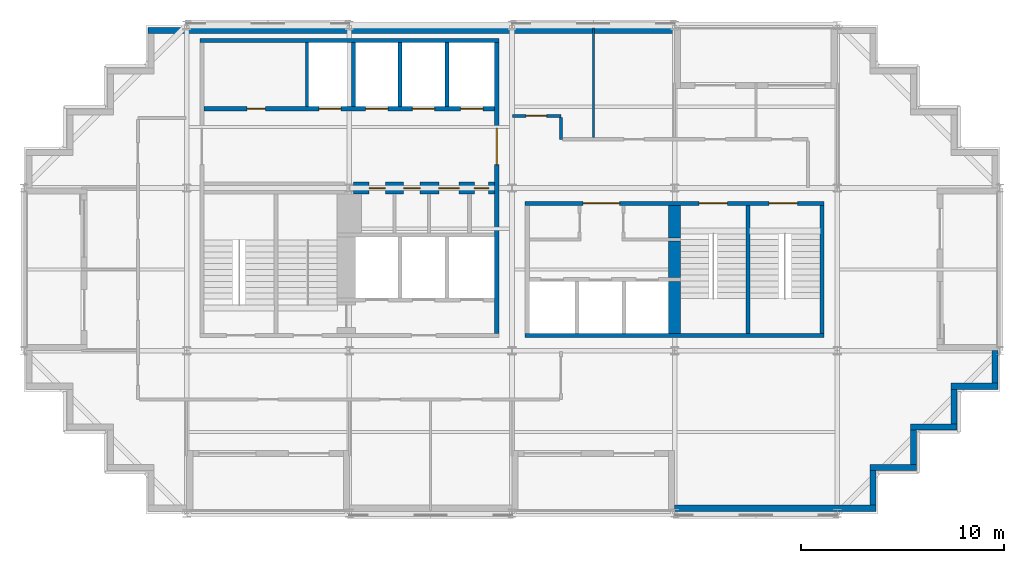
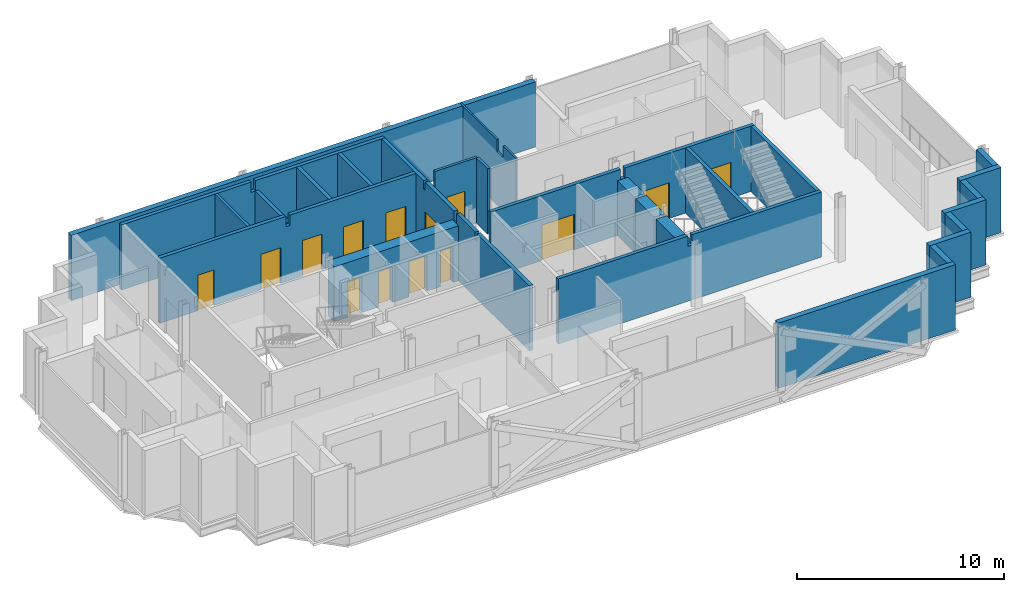
# One storey, part 4 of 7: 27 walls, 14 doors, 14 openings.
"""IFC4 building model written with IfcOpenShell, lengths in metres."""

from ifc_helpers import new_model, si_unit, direction, frame, frame_2d, origin, place, context, subcontext, project, spatial, polyline, rectangle, outline, extrude, material, layer, layer_set, type_object, element, fill, save


model = new_model("IFC4")

# Units and contexts
model_context = context("Model", 3, precision=1e-05, world=origin(), true_north=direction((0.0, 1.0)))
body_context = subcontext(model_context, "Body", "Model", "MODEL_VIEW")
ifc_project = project(units=[si_unit("LENGTHUNIT", "METRE"), si_unit("AREAUNIT", "SQUARE_METRE"), si_unit("VOLUMEUNIT", "CUBIC_METRE"), si_unit("PLANEANGLEUNIT", "RADIAN"), si_unit("MASSUNIT", "GRAM", prefix="KILO")], contexts=[model_context])

# Site, building, storey
site_placement = place(None, origin())
site = spatial("IfcSite", under=ifc_project, at=site_placement, CompositionType="ELEMENT")
building_placement = place(site_placement, origin())
building = spatial("IfcBuilding", under=site, at=building_placement, Name="Immortelle Media Tower", CompositionType="ELEMENT")
storey_placement = place(building_placement, frame((0.0, 0.0, 205.0)))
storey = spatial("IfcBuildingStorey", under=building, at=storey_placement, Name="L43", CompositionType="ELEMENT", Elevation=205.0)

# Wall, openings, doors
ifc_material_1 = material(Name="Fire-rated masonry blockwork", Category="masonry")
ifc_layer_1 = layer(ifc_material_1, 0.60009765625)
ifc_layer_set_1 = layer_set([ifc_layer_1], Name="Fire-rated masonry blockwork")
wall_type_1 = type_object("IfcWallType", Name="Core grid-line wall 600", PredefinedType="PARTITIONING", material=ifc_layer_set_1)
wall_1_placement = place(storey_placement, frame((16.20703125, 16.0, 0.0), z_axis=(0.0, 0.0, 1.0), x_axis=(1.0, 0.0, 0.0)))
wall_1 = element("IfcWall", 1, at=wall_1_placement, inside=storey, type_object=wall_type_1, Name="Core grid-line wall SW", PredefinedType="PARTITIONING", context=body_context, shape_type="SweptSolid", body=[
    extrude(rectangle(XDim=6.94287109375, YDim=0.60009765625, at=frame_2d((3.471435546875, 0.0))), origin(), (0.0, 0.0, 1.0), 3.241943359375),
])
opening_1_placement = place(wall_1_placement, frame((1.568115234375, 0.0, 0.0), z_axis=(0.0, 0.0, 1.0), x_axis=(-1.0, 0.0, 0.0)))
opening_1 = element("IfcOpeningElement", 2, at=opening_1_placement, cuts=wall_1, Name="Opening O2-K009", PredefinedType="OPENING", context=body_context, shape_type="SweptSolid", body=[
    extrude(rectangle(XDim=0.800048828125, YDim=2.10009765625, at=frame_2d((0.39990234375, 1.050048828125))), frame((0.0, 0.31005859375, 0.0), z_axis=(0.0, -1.0, 0.0), x_axis=(1.0, 0.0, 0.0)), (0.0, 0.0, 1.0), 0.6201171875),
])
opening_2_placement = place(wall_1_placement, frame((3.26806640625, 0.0, 0.0), z_axis=(0.0, 0.0, 1.0), x_axis=(-1.0, 0.0, 0.0)))
opening_2 = element("IfcOpeningElement", 3, at=opening_2_placement, cuts=wall_1, Name="Opening O2-K010", PredefinedType="OPENING", context=body_context, shape_type="SweptSolid", body=[
    extrude(rectangle(XDim=0.800048828125, YDim=2.10009765625, at=frame_2d((0.39990234375, 1.050048828125))), frame((0.0, 0.31005859375, 0.0), z_axis=(0.0, -1.0, 0.0), x_axis=(1.0, 0.0, 0.0)), (0.0, 0.0, 1.0), 0.6201171875),
])
opening_3_placement = place(wall_1_placement, frame((5.193115234375, 0.0, 0.0), z_axis=(0.0, 0.0, 1.0), x_axis=(-1.0, 0.0, 0.0)))
opening_3 = element("IfcOpeningElement", 4, at=opening_3_placement, cuts=wall_1, Name="Opening O2-K014", PredefinedType="OPENING", context=body_context, shape_type="SweptSolid", body=[
    extrude(rectangle(XDim=1.0, YDim=2.10009765625, at=frame_2d((0.5, 1.050048828125))), frame((0.0, 0.31005859375, 0.0), z_axis=(0.0, -1.0, 0.0), x_axis=(1.0, 0.0, 0.0)), (0.0, 0.0, 1.0), 0.6201171875),
])
opening_4_placement = place(wall_1_placement, frame((6.64306640625, 0.0, 0.0), z_axis=(0.0, 0.0, 1.0), x_axis=(-1.0, 0.0, 0.0)))
opening_4 = element("IfcOpeningElement", 5, at=opening_4_placement, cuts=wall_1, Name="Opening O2-K017", PredefinedType="OPENING", context=body_context, shape_type="SweptSolid", body=[
    extrude(rectangle(XDim=0.699951171875, YDim=2.10009765625, at=frame_2d((0.35009765625, 1.050048828125))), frame((0.0, 0.31005859375, 0.0), z_axis=(0.0, -1.0, 0.0), x_axis=(1.0, 0.0, 0.0)), (0.0, 0.0, 1.0), 0.6201171875),
])
ifc_material_2 = material(Name="Timber", Category="wood")
door_type_1 = type_object("IfcDoorType", Name="Accessible toilet door 1000 x 2100", OperationType="NOTDEFINED", PredefinedType="NOTDEFINED", material=ifc_material_2)
door_1_placement = place(opening_3_placement, origin())
door_1 = element("IfcDoor", 6, at=door_1_placement, inside=storey, type_object=door_type_1, Name="Accessible toilet O2-K014", OperationType="SINGLE_SWING_RIGHT", OverallHeight=2.10009765625, OverallWidth=1.0, PredefinedType="NOTDEFINED", context=body_context, shape_type="SweptSolid", body=[
    extrude(rectangle(XDim=1.0, YDim=2.10009765625, at=frame_2d((0.5, 1.050048828125))), frame((0.0, 0.02490234375, 0.0), z_axis=(0.0, -1.0, 0.0), x_axis=(1.0, 0.0, 0.0)), (0.0, 0.0, 1.0), 0.050048828125),
])
fill(opening_3, door_1)
ifc_material_3 = material(Name="Galvanised steel door leaf and frame ASTM A653", Category="steel")
door_type_2 = type_object("IfcDoorType", Name="Service door 700 x 2100", OperationType="NOTDEFINED", PredefinedType="NOTDEFINED", material=ifc_material_3)
door_2_placement = place(opening_4_placement, origin())
door_2 = element("IfcDoor", 7, at=door_2_placement, inside=storey, type_object=door_type_2, Name="Service O2-K017", OperationType="SINGLE_SWING_RIGHT", OverallHeight=2.10009765625, OverallWidth=0.699951171875, PredefinedType="NOTDEFINED", context=body_context, shape_type="SweptSolid", body=[
    extrude(rectangle(XDim=0.699951171875, YDim=2.10009765625, at=frame_2d((0.35009765625, 1.050048828125))), frame((0.0, 0.02490234375, 0.0), z_axis=(0.0, -1.0, 0.0), x_axis=(1.0, 0.0, 0.0)), (0.0, 0.0, 1.0), 0.050048828125),
])
fill(opening_4, door_2)
door_type_3 = type_object("IfcDoorType", Name="Toilet door 800 x 2100", OperationType="NOTDEFINED", PredefinedType="NOTDEFINED", material=ifc_material_2)
door_3_placement = place(opening_1_placement, origin())
door_3 = element("IfcDoor", 8, at=door_3_placement, inside=storey, type_object=door_type_3, Name="Toilet O2-K009", OperationType="SINGLE_SWING_RIGHT", OverallHeight=2.10009765625, OverallWidth=0.800048828125, PredefinedType="NOTDEFINED", context=body_context, shape_type="SweptSolid", body=[
    extrude(rectangle(XDim=0.800048828125, YDim=2.10009765625, at=frame_2d((0.39990234375, 1.050048828125))), frame((0.0, 0.02490234375, 0.0), z_axis=(0.0, -1.0, 0.0), x_axis=(1.0, 0.0, 0.0)), (0.0, 0.0, 1.0), 0.050048828125),
])
fill(opening_1, door_3)
door_4_placement = place(opening_2_placement, origin())
door_4 = element("IfcDoor", 9, at=door_4_placement, inside=storey, type_object=door_type_3, Name="Toilet O2-K010", OperationType="SINGLE_SWING_LEFT", OverallHeight=2.10009765625, OverallWidth=0.800048828125, PredefinedType="NOTDEFINED", context=body_context, shape_type="SweptSolid", body=[
    extrude(rectangle(XDim=0.800048828125, YDim=2.10009765625, at=frame_2d((0.39990234375, 1.050048828125))), frame((0.0, 0.02490234375, 0.0), z_axis=(0.0, -1.0, 0.0), x_axis=(1.0, 0.0, 0.0)), (0.0, 0.0, 1.0), 0.050048828125),
])
fill(opening_2, door_4)

# Walls
ifc_material_4 = material(Name="Fire-rated gypsum board", Category="gypsum")
ifc_layer_2 = layer(ifc_material_4, 0.02490234375)
ifc_material_5 = material(Name="Steel ASTM A653 SS Gr 50 stud frame with mineral wool", Category="steel")
ifc_layer_3 = layer(ifc_material_5, 0.10009765625)
ifc_layer_4 = layer(ifc_material_4, 0.02490234375)
ifc_layer_set_2 = layer_set([ifc_layer_2, ifc_layer_3, ifc_layer_4], Name="Steel ASTM A653 SS Gr 50 stud frame with mineral wool")
wall_type_2 = type_object("IfcWallType", Name="Core partition 150", PredefinedType="PARTITIONING", material=ifc_layer_set_2)
wall_2_placement = place(storey_placement, frame((13.925048828125, 20.0, 0.0), z_axis=(0.0, 0.0, 1.0), x_axis=(0.0, 1.0, 0.0)))
element("IfcWall", 10, at=wall_2_placement, inside=storey, type_object=wall_type_2, Name="Core partition SW", PredefinedType="PARTITIONING", context=body_context, shape_type="SweptSolid", body=[
    extrude(rectangle(XDim=3.14990234375, YDim=0.14990234375, at=frame_2d((1.574951171875, 0.0))), origin(), (0.0, 0.0, 1.0), 3.85009765625),
])
ifc_layer_5 = layer(ifc_material_4, 0.03759765625)
ifc_layer_6 = layer(ifc_material_5, 0.125)
ifc_layer_7 = layer(ifc_material_4, 0.03759765625)
ifc_layer_set_3 = layer_set([ifc_layer_5, ifc_layer_6, ifc_layer_7], Name="Steel ASTM A653 SS Gr 50 stud frame with mineral wool")
wall_type_3 = type_object("IfcWallType", Name="Core shaft wall 200", PredefinedType="PARTITIONING", material=ifc_layer_set_3)
wall_3_placement = place(storey_placement, frame((8.64990234375, 23.25, 0.0), z_axis=(0.0, 0.0, 1.0), x_axis=(1.0, 0.0, 0.0)))
element("IfcWall", 11, at=wall_3_placement, inside=storey, type_object=wall_type_3, Name="Core shaft wall SW", PredefinedType="PARTITIONING", context=body_context, shape_type="SweptSolid", body=[
    extrude(outline(polyline([(0.0, 0.0), (14.7001953125, 0.0), (14.699951171875, 3.85009765625), (7.468994140625, 3.85009765625), (7.468017578125, 3.241943359375), (7.23193359375, 3.241943359375), (7.23095703125, 3.85009765625), (0.0, 3.85009765625), (0.0, 0.0)])), frame((0.0, 0.10009765625, 0.0), z_axis=(0.0, -1.0, 0.0), x_axis=(1.0, 0.0, 0.0)), (0.0, 0.0, 1.0), 0.199951171875),
])

# Wall, openings, doors
wall_4_placement = place(storey_placement, frame((8.85009765625, 19.89990234375, 0.0), z_axis=(0.0, 0.0, 1.0), x_axis=(1.0, 0.0, 0.0)))
wall_4 = element("IfcWall", 12, at=wall_4_placement, inside=storey, type_object=wall_type_3, Name="Core shaft wall SW", PredefinedType="PARTITIONING", context=body_context, shape_type="SweptSolid", body=[
    extrude(outline(polyline([(0.0, 0.0), (14.2998046875, 0.0), (14.300048828125, 3.85009765625), (7.26904296875, 3.85009765625), (7.26806640625, 3.241943359375), (7.031982421875, 3.241943359375), (7.031005859375, 3.85009765625), (0.0, 3.85009765625), (0.0, 0.0)])), frame((0.0, 0.10009765625, 0.0), z_axis=(0.0, -1.0, 0.0), x_axis=(1.0, 0.0, 0.0)), (0.0, 0.0, 1.0), 0.199951171875),
])
opening_5_placement = place(wall_4_placement, frame((2.125, 0.0, 0.0)))
opening_5 = element("IfcOpeningElement", 13, at=opening_5_placement, cuts=wall_4, Name="Opening O2-K003", PredefinedType="OPENING", context=body_context, shape_type="SweptSolid", body=[
    extrude(rectangle(XDim=0.89990234375, YDim=2.10009765625, at=frame_2d((0.449951171875, 1.050048828125))), frame((0.0, 0.10986328125, 0.0), z_axis=(0.0, -1.0, 0.0), x_axis=(1.0, 0.0, 0.0)), (0.0, 0.0, 1.0), 0.219970703125),
])
opening_6_placement = place(wall_4_placement, frame((5.64990234375, 0.0, 0.0)))
opening_6 = element("IfcOpeningElement", 14, at=opening_6_placement, cuts=wall_4, Name="Opening LD", PredefinedType="OPENING", context=body_context, shape_type="SweptSolid", body=[
    extrude(rectangle(XDim=1.10009765625, YDim=2.10009765625, at=frame_2d((0.550048828125, 1.050048828125))), frame((0.0, 0.10986328125, 0.0), z_axis=(0.0, -1.0, 0.0), x_axis=(1.0, 0.0, 0.0)), (0.0, 0.0, 1.0), 0.219970703125),
])
opening_7_placement = place(wall_4_placement, frame((7.949951171875, 0.0, 0.0)))
opening_7 = element("IfcOpeningElement", 15, at=opening_7_placement, cuts=wall_4, Name="Opening LD", PredefinedType="OPENING", context=body_context, shape_type="SweptSolid", body=[
    extrude(rectangle(XDim=1.10009765625, YDim=2.10009765625, at=frame_2d((0.550048828125, 1.050048828125))), frame((0.0, 0.10986328125, 0.0), z_axis=(0.0, -1.0, 0.0), x_axis=(1.0, 0.0, 0.0)), (0.0, 0.0, 1.0), 0.219970703125),
])
opening_8_placement = place(wall_4_placement, frame((10.25, 0.0, 0.0)))
opening_8 = element("IfcOpeningElement", 16, at=opening_8_placement, cuts=wall_4, Name="Opening LD", PredefinedType="OPENING", context=body_context, shape_type="SweptSolid", body=[
    extrude(rectangle(XDim=1.10009765625, YDim=2.10009765625, at=frame_2d((0.550048828125, 1.050048828125))), frame((0.0, 0.10986328125, 0.0), z_axis=(0.0, -1.0, 0.0), x_axis=(1.0, 0.0, 0.0)), (0.0, 0.0, 1.0), 0.219970703125),
])
opening_9_placement = place(wall_4_placement, frame((12.625, 0.0, 0.0)))
opening_9 = element("IfcOpeningElement", 17, at=opening_9_placement, cuts=wall_4, Name="Opening LD", PredefinedType="OPENING", context=body_context, shape_type="SweptSolid", body=[
    extrude(rectangle(XDim=1.10009765625, YDim=2.10009765625, at=frame_2d((0.550048828125, 1.050048828125))), frame((0.0, 0.10986328125, 0.0), z_axis=(0.0, -1.0, 0.0), x_axis=(1.0, 0.0, 0.0)), (0.0, 0.0, 1.0), 0.219970703125),
])
ifc_material_6 = material(Name="Stainless steel AISI 304", Category="steel")
door_type_4 = type_object("IfcDoorType", Name="Landing door 1100 x 2100", OperationType="SLIDING_TO_LEFT", PredefinedType="NOTDEFINED", material=ifc_material_6)
door_5_placement = place(opening_6_placement, origin())
door_5 = element("IfcDoor", 18, at=door_5_placement, inside=storey, type_object=door_type_4, Name="Landing door HR1 L43", OperationType="SLIDING_TO_LEFT", OverallHeight=2.10009765625, OverallWidth=1.10009765625, PredefinedType="NOTDEFINED", context=body_context, shape_type="SweptSolid", body=[
    extrude(rectangle(XDim=1.10009765625, YDim=2.10009765625, at=frame_2d((0.550048828125, 1.050048828125))), frame((0.0, 0.02490234375, 0.0), z_axis=(0.0, -1.0, 0.0), x_axis=(1.0, 0.0, 0.0)), (0.0, 0.0, 1.0), 0.050048828125),
])
fill(opening_6, door_5)
door_6_placement = place(opening_7_placement, origin())
door_6 = element("IfcDoor", 19, at=door_6_placement, inside=storey, type_object=door_type_4, Name="Landing door HR2 L43", OperationType="SLIDING_TO_LEFT", OverallHeight=2.10009765625, OverallWidth=1.10009765625, PredefinedType="NOTDEFINED", context=body_context, shape_type="SweptSolid", body=[
    extrude(rectangle(XDim=1.10009765625, YDim=2.10009765625, at=frame_2d((0.550048828125, 1.050048828125))), frame((0.0, 0.02490234375, 0.0), z_axis=(0.0, -1.0, 0.0), x_axis=(1.0, 0.0, 0.0)), (0.0, 0.0, 1.0), 0.050048828125),
])
fill(opening_7, door_6)
door_7_placement = place(opening_8_placement, origin())
door_7 = element("IfcDoor", 20, at=door_7_placement, inside=storey, type_object=door_type_4, Name="Landing door HR3 L43", OperationType="SLIDING_TO_LEFT", OverallHeight=2.10009765625, OverallWidth=1.10009765625, PredefinedType="NOTDEFINED", context=body_context, shape_type="SweptSolid", body=[
    extrude(rectangle(XDim=1.10009765625, YDim=2.10009765625, at=frame_2d((0.550048828125, 1.050048828125))), frame((0.0, 0.02490234375, 0.0), z_axis=(0.0, -1.0, 0.0), x_axis=(1.0, 0.0, 0.0)), (0.0, 0.0, 1.0), 0.050048828125),
])
fill(opening_8, door_7)
door_8_placement = place(opening_9_placement, origin())
door_8 = element("IfcDoor", 21, at=door_8_placement, inside=storey, type_object=door_type_4, Name="Landing door HR4 L43", OperationType="SLIDING_TO_LEFT", OverallHeight=2.10009765625, OverallWidth=1.10009765625, PredefinedType="NOTDEFINED", context=body_context, shape_type="SweptSolid", body=[
    extrude(rectangle(XDim=1.10009765625, YDim=2.10009765625, at=frame_2d((0.550048828125, 1.050048828125))), frame((0.0, 0.02490234375, 0.0), z_axis=(0.0, -1.0, 0.0), x_axis=(1.0, 0.0, 0.0)), (0.0, 0.0, 1.0), 0.050048828125),
])
fill(opening_9, door_8)
door_type_5 = type_object("IfcDoorType", Name="Room door 900 x 2100", OperationType="NOTDEFINED", PredefinedType="NOTDEFINED", material=ifc_material_2)
door_9_placement = place(opening_5_placement, origin())
door_9 = element("IfcDoor", 22, at=door_9_placement, inside=storey, type_object=door_type_5, Name="Room O2-K003", OperationType="SINGLE_SWING_LEFT", OverallHeight=2.10009765625, OverallWidth=0.89990234375, PredefinedType="NOTDEFINED", context=body_context, shape_type="SweptSolid", body=[
    extrude(rectangle(XDim=0.89990234375, YDim=2.10009765625, at=frame_2d((0.449951171875, 1.050048828125))), frame((0.0, 0.02490234375, 0.0), z_axis=(0.0, -1.0, 0.0), x_axis=(1.0, 0.0, 0.0)), (0.0, 0.0, 1.0), 0.050048828125),
])
fill(opening_5, door_9)

# Walls
wall_5_placement = place(storey_placement, frame((16.199951171875, 20.0, 0.0), z_axis=(0.0, 0.0, 1.0), x_axis=(0.0, 1.0, 0.0)))
element("IfcWall", 23, at=wall_5_placement, inside=storey, type_object=wall_type_3, Name="Core shaft wall SW", PredefinedType="PARTITIONING", context=body_context, shape_type="SweptSolid", body=[
    extrude(rectangle(XDim=3.14990234375, YDim=0.199951171875, at=frame_2d((1.574951171875, 0.0))), origin(), (0.0, 0.0, 1.0), 3.241943359375),
])
for number, where, z_axis, x_axis, name in (
    (24, (18.5, 20.0, 0.0), (0.0, 0.0, 1.0), (0.0, 1.0, 0.0), "Core shaft wall SW"),
    (25, (20.800048828125, 20.0, 0.0), (0.0, 0.0, 1.0), (0.0, 1.0, 0.0), "Core shaft wall SW"),
):
    element("IfcWall", number, at=place(storey_placement, frame(where, z_axis=z_axis, x_axis=x_axis)), inside=storey, type_object=wall_type_3, Name=name, PredefinedType="PARTITIONING", context=body_context, shape_type="SweptSolid", body=[
        extrude(rectangle(XDim=3.14990234375, YDim=0.199951171875, at=frame_2d((1.574951171875, 0.0))), origin(), (0.0, 0.0, 1.0), 3.85009765625),
    ])

# Wall, opening, door
wall_6_placement = place(storey_placement, frame((23.25, 8.85009765625, 0.0), z_axis=(0.0, 0.0, 1.0), x_axis=(0.0, 1.0, 0.0)))
wall_6 = element("IfcWall", 26, at=wall_6_placement, inside=storey, type_object=wall_type_3, Name="Core shaft wall SW", PredefinedType="PARTITIONING", context=body_context, shape_type="SweptSolid", body=[
    extrude(outline(polyline([(0.0, 0.0), (14.2998046875, 0.0), (14.300048828125, 3.85009765625), (10.2314453125, 3.85009765625), (10.23046875, 3.388916015625), (10.069580078125, 3.388916015625), (10.068603515625, 3.85009765625), (7.26904296875, 3.85009765625), (7.26806640625, 3.241943359375), (7.031982421875, 3.241943359375), (7.031005859375, 3.85009765625), (5.2314453125, 3.85009765625), (5.23046875, 3.388916015625), (5.069580078125, 3.388916015625), (5.068603515625, 3.85009765625), (0.0, 3.85009765625), (0.0, 0.0)])), frame((0.0, 0.10009765625, 0.0), z_axis=(0.0, -1.0, 0.0), x_axis=(1.0, 0.0, 0.0)), (0.0, 0.0, 1.0), 0.199951171875),
])
opening_10_placement = place(wall_6_placement, frame((8.300048828125, 0.0, 0.0)))
opening_10 = element("IfcOpeningElement", 27, at=opening_10_placement, cuts=wall_6, Name="Opening O2-K018", PredefinedType="OPENING", context=body_context, shape_type="SweptSolid", body=[
    extrude(rectangle(XDim=1.800048828125, YDim=2.10009765625, at=frame_2d((0.89990234375, 1.050048828125))), frame((0.0, 0.10986328125, 0.0), z_axis=(0.0, -1.0, 0.0), x_axis=(1.0, 0.0, 0.0)), (0.0, 0.0, 1.0), 0.219970703125),
])
door_type_6 = type_object("IfcDoorType", Name="Lift lobby door 1800 x 2100", OperationType="DOUBLE_DOOR_SINGLE_SWING", PredefinedType="NOTDEFINED", material=ifc_material_3)
door_10_placement = place(opening_10_placement, origin())
door_10 = element("IfcDoor", 28, at=door_10_placement, inside=storey, type_object=door_type_6, Name="Lift lobby O2-K018", OperationType="DOUBLE_DOOR_SINGLE_SWING", OverallHeight=2.10009765625, OverallWidth=1.800048828125, PredefinedType="NOTDEFINED", context=body_context, shape_type="SweptSolid", body=[
    extrude(rectangle(XDim=1.800048828125, YDim=2.10009765625, at=frame_2d((0.89990234375, 1.050048828125))), frame((0.0, 0.02490234375, 0.0), z_axis=(0.0, -1.0, 0.0), x_axis=(1.0, 0.0, 0.0)), (0.0, 0.0, 1.0), 0.050048828125),
])
fill(opening_10, door_10)

# Wall
ifc_layer_8 = layer(ifc_material_4, 0.012451171875)
ifc_layer_9 = layer(ifc_material_5, 0.125)
ifc_layer_10 = layer(ifc_material_4, 0.012451171875)
ifc_layer_set_4 = layer_set([ifc_layer_8, ifc_layer_9, ifc_layer_10], Name="Steel ASTM A653 SS Gr 50 stud frame with mineral wool")
wall_type_4 = type_object("IfcWallType", Name="Corridor wall 150", PredefinedType="PARTITIONING", material=ifc_layer_set_4)
wall_7_placement = place(storey_placement, frame((26.39990234375, 18.39990234375, 0.0), z_axis=(0.0, 0.0, 1.0), x_axis=(0.0, 1.0, 0.0)))
element("IfcWall", 29, at=wall_7_placement, inside=storey, type_object=wall_type_4, Name="Partition L43-014", PredefinedType="PARTITIONING", context=body_context, shape_type="SweptSolid", body=[
    extrude(rectangle(XDim=1.0751953125, YDim=0.14990234375, at=frame_2d((0.53759765625, 0.0))), origin(), (0.0, 0.0, 1.0), 3.85009765625),
])

# Wall, opening, door
wall_8_placement = place(storey_placement, frame((24.030029296875, 19.550048828125, 0.0), z_axis=(0.0, 0.0, 1.0), x_axis=(1.0, 0.0, 0.0)))
wall_8 = element("IfcWall", 30, at=wall_8_placement, inside=storey, type_object=wall_type_4, Name="Partition L43-019", PredefinedType="PARTITIONING", context=body_context, shape_type="SweptSolid", body=[
    extrude(rectangle(XDim=2.369873046875, YDim=0.14990234375, at=frame_2d((1.18505859375, 0.0))), origin(), (0.0, 0.0, 1.0), 3.85009765625),
])
opening_11_placement = place(wall_8_placement, frame((0.669921875, 0.0, 0.0)))
opening_11 = element("IfcOpeningElement", 31, at=opening_11_placement, cuts=wall_8, Name="Opening O2-F011", PredefinedType="OPENING", context=body_context, shape_type="SweptSolid", body=[
    extrude(rectangle(XDim=1.0, YDim=2.10009765625, at=frame_2d((0.5, 1.050048828125))), frame((0.0, 0.0849609375, 0.0), z_axis=(0.0, -1.0, 0.0), x_axis=(1.0, 0.0, 0.0)), (0.0, 0.0, 1.0), 0.169921875),
])
ifc_material_7 = material(Name="Timber veneered door leaf, galvanised steel frame ASTM A653", Category="steel")
door_type_7 = type_object("IfcDoorType", Name="Room door 1000 x 2100", OperationType="NOTDEFINED", PredefinedType="DOOR", material=ifc_material_7)
door_11_placement = place(opening_11_placement, origin())
door_11 = element("IfcDoor", 32, at=door_11_placement, inside=storey, type_object=door_type_7, Name="Door O2-F011", OperationType="SINGLE_SWING_LEFT", OverallHeight=2.10009765625, OverallWidth=1.0, PredefinedType="DOOR", context=body_context, shape_type="SweptSolid", body=[
    extrude(rectangle(XDim=1.0, YDim=2.10009765625, at=frame_2d((0.5, 1.050048828125))), frame((0.0, 0.02490234375, 0.0), z_axis=(0.0, -1.0, 0.0), x_axis=(1.0, 0.0, 0.0)), (0.0, 0.0, 1.0), 0.050048828125),
])
fill(opening_11, door_11)

# Walls
ifc_material_8 = material(Name="Pale aluminium cladding panel", Category="aluminium")
ifc_layer_11 = layer(ifc_material_8, 0.030029296875)
ifc_layer_12 = layer(ifc_material_5, 0.257568359375)
ifc_material_9 = material(Name="Moisture-resistant gypsum board", Category="gypsum")
ifc_layer_13 = layer(ifc_material_9, 0.012451171875)
ifc_layer_set_5 = layer_set([ifc_layer_11, ifc_layer_12, ifc_layer_13], Name="Steel ASTM A653 SS Gr 50 stud frame with mineral wool")
wall_type_5 = type_object("IfcWallType", Name="Facade wall 300", PredefinedType="SOLIDWALL", material=ifc_layer_set_5)
wall_9_placement = place(storey_placement, frame((32.0, 0.25, 0.0), z_axis=(0.0, 0.0, 1.0), x_axis=(1.0, 0.0, 0.0)))
element("IfcWall", 33, at=wall_9_placement, inside=storey, type_object=wall_type_5, Name="Facade wall L43 S6", PredefinedType="SOLIDWALL", context=body_context, shape_type="SweptSolid", body=[
    extrude(rectangle(XDim=9.89990234375, YDim=0.300048828125, at=frame_2d((4.949951171875, 0.0))), origin(), (0.0, 0.0, 1.0), 3.85009765625),
])
wall_10_placement = place(storey_placement, frame((41.75, 0.39990234375, 0.0), z_axis=(0.0, 0.0, 1.0), x_axis=(0.0, 1.0, 0.0)))
element("IfcWall", 34, at=wall_10_placement, inside=storey, type_object=wall_type_5, Name="Facade wall L43 E7", PredefinedType="SOLIDWALL", context=body_context, shape_type="SweptSolid", body=[
    extrude(rectangle(XDim=1.7001953125, YDim=0.300048828125, at=frame_2d((0.85009765625, 0.0))), origin(), (0.0, 0.0, 1.0), 3.85009765625),
])
wall_11_placement = place(storey_placement, frame((41.60009765625, 2.25, 0.0), z_axis=(0.0, 0.0, 1.0), x_axis=(1.0, 0.0, 0.0)))
element("IfcWall", 35, at=wall_11_placement, inside=storey, type_object=wall_type_5, Name="Facade wall L43 S8", PredefinedType="SOLIDWALL", context=body_context, shape_type="SweptSolid", body=[
    extrude(rectangle(XDim=2.2998046875, YDim=0.300048828125, at=frame_2d((1.14990234375, 0.0))), origin(), (0.0, 0.0, 1.0), 3.85009765625),
])
wall_12_placement = place(storey_placement, frame((43.75, 2.39990234375, 0.0), z_axis=(0.0, 0.0, 1.0), x_axis=(0.0, 1.0, 0.0)))
element("IfcWall", 36, at=wall_12_placement, inside=storey, type_object=wall_type_5, Name="Facade wall L43 E9", PredefinedType="SOLIDWALL", context=body_context, shape_type="SweptSolid", body=[
    extrude(rectangle(XDim=1.7001953125, YDim=0.300048828125, at=frame_2d((0.85009765625, 0.0))), origin(), (0.0, 0.0, 1.0), 3.85009765625),
])
wall_13_placement = place(storey_placement, frame((43.60009765625, 4.25, 0.0), z_axis=(0.0, 0.0, 1.0), x_axis=(1.0, 0.0, 0.0)))
element("IfcWall", 37, at=wall_13_placement, inside=storey, type_object=wall_type_5, Name="Facade wall L43 S10", PredefinedType="SOLIDWALL", context=body_context, shape_type="SweptSolid", body=[
    extrude(rectangle(XDim=2.2998046875, YDim=0.300048828125, at=frame_2d((1.14990234375, 0.0))), origin(), (0.0, 0.0, 1.0), 3.85009765625),
])
wall_14_placement = place(storey_placement, frame((45.75, 4.39990234375, 0.0), z_axis=(0.0, 0.0, 1.0), x_axis=(0.0, 1.0, 0.0)))
element("IfcWall", 38, at=wall_14_placement, inside=storey, type_object=wall_type_5, Name="Facade wall L43 E11", PredefinedType="SOLIDWALL", context=body_context, shape_type="SweptSolid", body=[
    extrude(rectangle(XDim=1.7001953125, YDim=0.300048828125, at=frame_2d((0.85009765625, 0.0))), origin(), (0.0, 0.0, 1.0), 3.85009765625),
])
wall_15_placement = place(storey_placement, frame((45.60009765625, 6.25, 0.0), z_axis=(0.0, 0.0, 1.0), x_axis=(1.0, 0.0, 0.0)))
element("IfcWall", 39, at=wall_15_placement, inside=storey, type_object=wall_type_5, Name="Facade wall L43 S12", PredefinedType="SOLIDWALL", context=body_context, shape_type="SweptSolid", body=[
    extrude(rectangle(XDim=2.2998046875, YDim=0.300048828125, at=frame_2d((1.14990234375, 0.0))), origin(), (0.0, 0.0, 1.0), 3.85009765625),
])
wall_16_placement = place(storey_placement, frame((47.75, 6.39990234375, 0.0), z_axis=(0.0, 0.0, 1.0), x_axis=(0.0, 1.0, 0.0)))
element("IfcWall", 40, at=wall_16_placement, inside=storey, type_object=wall_type_5, Name="Facade wall L43 E13", PredefinedType="SOLIDWALL", context=body_context, shape_type="SweptSolid", body=[
    extrude(rectangle(XDim=1.60009765625, YDim=0.300048828125, at=frame_2d((0.800048828125, 0.0))), origin(), (0.0, 0.0, 1.0), 3.85009765625),
])
wall_17_placement = place(storey_placement, frame((32.0, 23.75, 0.0), z_axis=(0.0, 0.0, 1.0), x_axis=(-1.0, 0.0, 0.0)))
element("IfcWall", 41, at=wall_17_placement, inside=storey, type_object=wall_type_5, Name="Facade wall L43 N20", PredefinedType="SOLIDWALL", context=body_context, shape_type="SweptSolid", body=[
    extrude(rectangle(XDim=25.89990234375, YDim=0.300048828125, at=frame_2d((12.949951171875, 0.0))), origin(), (0.0, 0.0, 1.0), 3.85009765625),
])
ifc_material_10 = material(Name="Gypsum board", Category="gypsum")
ifc_layer_14 = layer(ifc_material_10, 0.012451171875)
ifc_layer_15 = layer(ifc_material_5, 0.074951171875)
ifc_layer_16 = layer(ifc_material_10, 0.012451171875)
ifc_layer_set_6 = layer_set([ifc_layer_14, ifc_layer_15, ifc_layer_16], Name="Steel ASTM A653 SS Gr 50 stud frame with mineral wool")
wall_type_6 = type_object("IfcWallType", Name="Partition 100", PredefinedType="PARTITIONING", material=ifc_layer_set_6)
wall_18_placement = place(storey_placement, frame((28.0, 18.47509765625, 0.0), z_axis=(0.0, 0.0, 1.0), x_axis=(0.0, 1.0, 0.0)))
element("IfcWall", 42, at=wall_18_placement, inside=storey, type_object=wall_type_6, Name="Partition L43-015", PredefinedType="PARTITIONING", context=body_context, shape_type="SweptSolid", body=[
    extrude(outline(polyline([(0.0, 0.0), (5.39501953125, 0.0), (5.39501953125, 3.85009765625), (1.824951171875, 3.85009765625), (1.822998046875, 3.156982421875), (1.22705078125, 3.156982421875), (1.22509765625, 3.85009765625), (0.0, 3.85009765625), (0.0, 0.0)])), frame((0.0, 0.050048828125, 0.0), z_axis=(0.0, -1.0, 0.0), x_axis=(1.0, 0.0, 0.0)), (0.0, 0.0, 1.0), 0.10009765625),
])
ifc_material_11 = material(Name="Concrete C60", Category="concrete")
ifc_layer_17 = layer(ifc_material_11, 0.199951171875)
ifc_layer_set_7 = layer_set([ifc_layer_17], Name="Concrete C60")
wall_type_7 = type_object("IfcWallType", Name="Stair shaft wall 200", PredefinedType="PARTITIONING", material=ifc_layer_set_7)
wall_19_placement = place(storey_placement, frame((24.64990234375, 8.75, 0.0), z_axis=(0.0, 0.0, 1.0), x_axis=(1.0, 0.0, 0.0)))
element("IfcWall", 43, at=wall_19_placement, inside=storey, type_object=wall_type_7, Name="Stair shaft wall SE", PredefinedType="PARTITIONING", context=body_context, shape_type="SweptSolid", body=[
    extrude(outline(polyline([(0.0, 0.0), (14.7001953125, 0.0), (14.699951171875, 3.85009765625), (7.468994140625, 3.85009765625), (7.468017578125, 3.241943359375), (7.23193359375, 3.241943359375), (7.23095703125, 3.85009765625), (0.0, 3.85009765625), (0.0, 0.0)])), frame((0.0, 0.10009765625, 0.0), z_axis=(0.0, -1.0, 0.0), x_axis=(1.0, 0.0, 0.0)), (0.0, 0.0, 1.0), 0.199951171875),
])

# Wall, openings, doors
wall_20_placement = place(storey_placement, frame((24.64990234375, 15.25, 0.0), z_axis=(0.0, 0.0, 1.0), x_axis=(1.0, 0.0, 0.0)))
wall_20 = element("IfcWall", 44, at=wall_20_placement, inside=storey, type_object=wall_type_7, Name="Stair shaft wall SE", PredefinedType="PARTITIONING", context=body_context, shape_type="SweptSolid", body=[
    extrude(outline(polyline([(0.0, 0.0), (14.7001953125, 0.0), (14.699951171875, 3.85009765625), (7.468994140625, 3.85009765625), (7.468017578125, 3.241943359375), (7.23193359375, 3.241943359375), (7.23095703125, 3.85009765625), (0.0, 3.85009765625), (0.0, 0.0)])), frame((0.0, 0.10009765625, 0.0), z_axis=(0.0, -1.0, 0.0), x_axis=(1.0, 0.0, 0.0)), (0.0, 0.0, 1.0), 0.199951171875),
])
opening_12_placement = place(wall_20_placement, frame((2.85009765625, 0.0, 0.0)))
opening_12 = element("IfcOpeningElement", 45, at=opening_12_placement, cuts=wall_20, Name="Opening O2-K022", PredefinedType="OPENING", context=body_context, shape_type="SweptSolid", body=[
    extrude(rectangle(XDim=1.800048828125, YDim=2.10009765625, at=frame_2d((0.89990234375, 1.050048828125))), frame((0.0, 0.10986328125, 0.0), z_axis=(0.0, -1.0, 0.0), x_axis=(1.0, 0.0, 0.0)), (0.0, 0.0, 1.0), 0.219970703125),
])
opening_13_placement = place(wall_20_placement, frame((9.949951171875, 0.0, 0.0), z_axis=(0.0, 0.0, 1.0), x_axis=(-1.0, 0.0, 0.0)))
opening_13 = element("IfcOpeningElement", 46, at=opening_13_placement, cuts=wall_20, Name="Opening O2-K025", PredefinedType="OPENING", context=body_context, shape_type="SweptSolid", body=[
    extrude(rectangle(XDim=1.39990234375, YDim=2.10009765625, at=frame_2d((0.699951171875, 1.050048828125))), frame((0.0, 0.10986328125, 0.0), z_axis=(0.0, -1.0, 0.0), x_axis=(1.0, 0.0, 0.0)), (0.0, 0.0, 1.0), 0.219970703125),
])
opening_14_placement = place(wall_20_placement, frame((13.39990234375, 0.0, 0.0), z_axis=(0.0, 0.0, 1.0), x_axis=(-1.0, 0.0, 0.0)))
opening_14 = element("IfcOpeningElement", 47, at=opening_14_placement, cuts=wall_20, Name="Opening O2-K026", PredefinedType="OPENING", context=body_context, shape_type="SweptSolid", body=[
    extrude(rectangle(XDim=1.39990234375, YDim=2.10009765625, at=frame_2d((0.699951171875, 1.050048828125))), frame((0.0, 0.10986328125, 0.0), z_axis=(0.0, -1.0, 0.0), x_axis=(1.0, 0.0, 0.0)), (0.0, 0.0, 1.0), 0.219970703125),
])
door_12_placement = place(opening_12_placement, origin())
door_12 = element("IfcDoor", 48, at=door_12_placement, inside=storey, type_object=door_type_6, Name="Lift lobby O2-K022", OperationType="DOUBLE_DOOR_SINGLE_SWING", OverallHeight=2.10009765625, OverallWidth=1.800048828125, PredefinedType="NOTDEFINED", context=body_context, shape_type="SweptSolid", body=[
    extrude(rectangle(XDim=1.800048828125, YDim=2.10009765625, at=frame_2d((0.89990234375, 1.050048828125))), frame((0.0, 0.02490234375, 0.0), z_axis=(0.0, -1.0, 0.0), x_axis=(1.0, 0.0, 0.0)), (0.0, 0.0, 1.0), 0.050048828125),
])
fill(opening_12, door_12)
door_type_8 = type_object("IfcDoorType", Name="Stair door 1400 x 2100", OperationType="DOUBLE_DOOR_SINGLE_SWING", PredefinedType="NOTDEFINED", material=ifc_material_3)
door_13_placement = place(opening_13_placement, origin())
door_13 = element("IfcDoor", 49, at=door_13_placement, inside=storey, type_object=door_type_8, Name="Stair O2-K025", OperationType="DOUBLE_DOOR_SINGLE_SWING", OverallHeight=2.10009765625, OverallWidth=1.39990234375, PredefinedType="NOTDEFINED", context=body_context, shape_type="SweptSolid", body=[
    extrude(rectangle(XDim=1.39990234375, YDim=2.10009765625, at=frame_2d((0.699951171875, 1.050048828125))), frame((0.0, 0.02490234375, 0.0), z_axis=(0.0, -1.0, 0.0), x_axis=(1.0, 0.0, 0.0)), (0.0, 0.0, 1.0), 0.050048828125),
])
fill(opening_13, door_13)
door_14_placement = place(opening_14_placement, origin())
door_14 = element("IfcDoor", 50, at=door_14_placement, inside=storey, type_object=door_type_8, Name="Stair O2-K026", OperationType="DOUBLE_DOOR_SINGLE_SWING", OverallHeight=2.10009765625, OverallWidth=1.39990234375, PredefinedType="NOTDEFINED", context=body_context, shape_type="SweptSolid", body=[
    extrude(rectangle(XDim=1.39990234375, YDim=2.10009765625, at=frame_2d((0.699951171875, 1.050048828125))), frame((0.0, 0.02490234375, 0.0), z_axis=(0.0, -1.0, 0.0), x_axis=(1.0, 0.0, 0.0)), (0.0, 0.0, 1.0), 0.050048828125),
])
fill(opening_14, door_14)

# Walls
for number, where, z_axis, x_axis, name in (
    (51, (35.60009765625, 8.85009765625, 0.0), (0.0, 0.0, 1.0), (0.0, 1.0, 0.0), "Stair shaft wall SE"),
    (52, (39.25, 8.85009765625, 0.0), (0.0, 0.0, 1.0), (0.0, 1.0, 0.0), "Stair shaft wall SE"),
):
    element("IfcWall", number, at=place(storey_placement, frame(where, z_axis=z_axis, x_axis=x_axis)), inside=storey, type_object=wall_type_7, Name=name, PredefinedType="PARTITIONING", context=body_context, shape_type="SweptSolid", body=[
        extrude(rectangle(XDim=6.2998046875, YDim=0.199951171875, at=frame_2d((3.14990234375, 0.0))), origin(), (0.0, 0.0, 1.0), 3.85009765625),
    ])
ifc_layer_18 = layer(ifc_material_11, 0.60009765625)
ifc_layer_set_8 = layer_set([ifc_layer_18], Name="Concrete C60")
wall_type_8 = type_object("IfcWallType", Name="Stair shaft wall 600", PredefinedType="PARTITIONING", material=ifc_layer_set_8)
wall_21_placement = place(storey_placement, frame((32.0, 8.85009765625, 0.0), z_axis=(0.0, 0.0, 1.0), x_axis=(0.0, 1.0, 0.0)))
element("IfcWall", 53, at=wall_21_placement, inside=storey, type_object=wall_type_8, Name="Stair shaft wall SE", PredefinedType="PARTITIONING", context=body_context, shape_type="SweptSolid", body=[
    extrude(rectangle(XDim=2.5498046875, YDim=0.60009765625, at=frame_2d((1.27490234375, 0.0))), origin(), (0.0, 0.0, 1.0), 3.241943359375),
])
wall_22_placement = place(storey_placement, frame((32.0, 11.60009765625, 0.0), z_axis=(0.0, 0.0, 1.0), x_axis=(0.0, 1.0, 0.0)))
element("IfcWall", 54, at=wall_22_placement, inside=storey, type_object=wall_type_8, Name="Stair shaft wall SE", PredefinedType="PARTITIONING", context=body_context, shape_type="SweptSolid", body=[
    extrude(rectangle(XDim=1.7998046875, YDim=0.60009765625, at=frame_2d((0.89990234375, 0.0))), origin(), (0.0, 0.0, 1.0), 3.241943359375),
])
wall_23_placement = place(storey_placement, frame((32.0, 13.550048828125, 0.0), z_axis=(0.0, 0.0, 1.0), x_axis=(0.0, 1.0, 0.0)))
element("IfcWall", 55, at=wall_23_placement, inside=storey, type_object=wall_type_8, Name="Stair shaft wall SE", PredefinedType="PARTITIONING", context=body_context, shape_type="SweptSolid", body=[
    extrude(rectangle(XDim=1.599853515625, YDim=0.60009765625, at=frame_2d((0.7998046875, 0.0))), origin(), (0.0, 0.0, 1.0), 3.241943359375),
])

save(model, "model.ifc")
